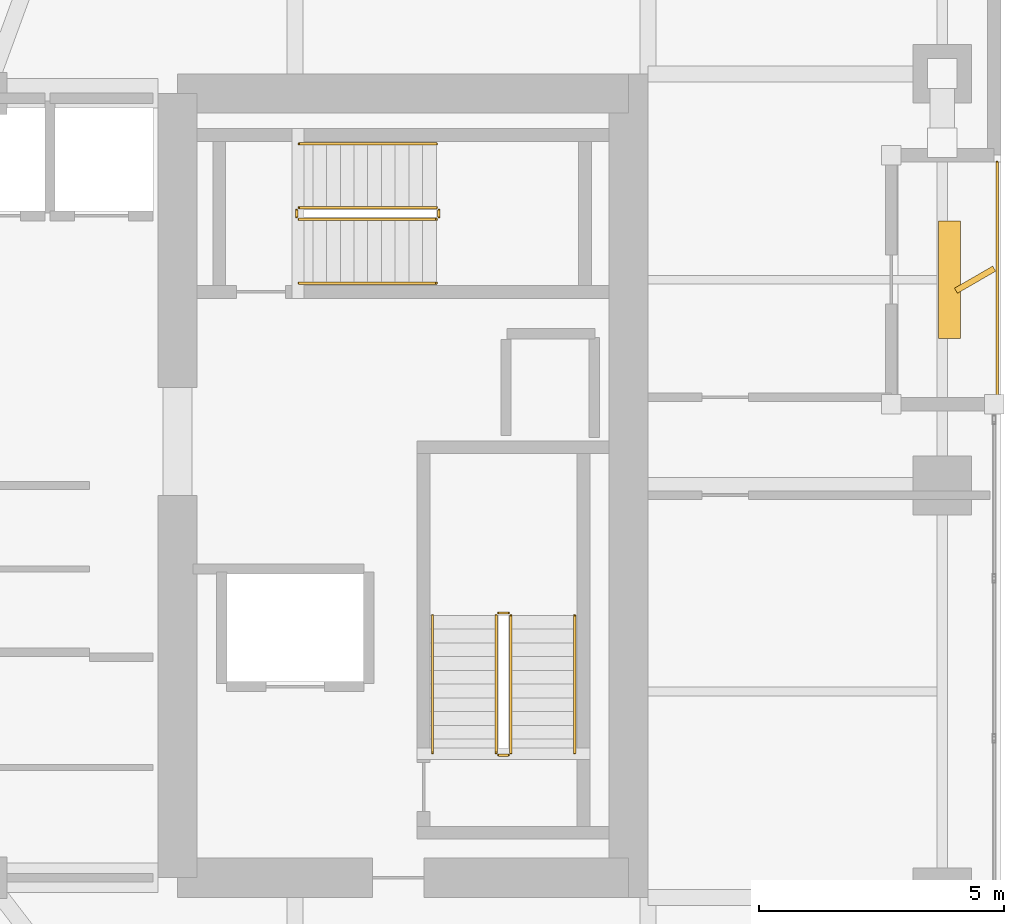
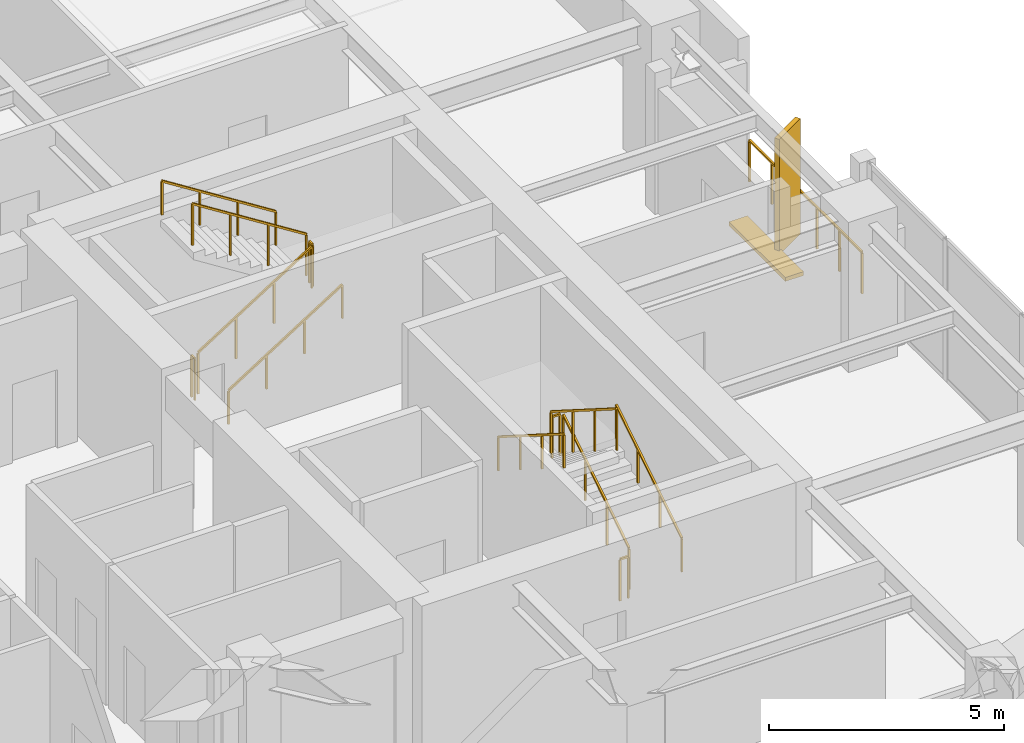
# One storey, part 29 of 30: 13 railings, 2 shading devices.
"""IFC4 building model written with IfcOpenShell, lengths in metres."""

from ifc_helpers import new_model, si_unit, direction, frame, origin, origin_2d, place, context, subcontext, project, spatial, rectangle, extrude, material, type_object, element, save


model = new_model("IFC4")

# Units and contexts
model_context = context("Model", 3, precision=1e-05, world=origin(), true_north=direction((0.0, 1.0)))
body_context = subcontext(model_context, "Body", "Model", "MODEL_VIEW")
ifc_project = project(units=[si_unit("LENGTHUNIT", "METRE"), si_unit("AREAUNIT", "SQUARE_METRE"), si_unit("VOLUMEUNIT", "CUBIC_METRE"), si_unit("PLANEANGLEUNIT", "RADIAN"), si_unit("MASSUNIT", "GRAM", prefix="KILO")], contexts=[model_context])

# Site, building, storey
site_placement = place(None, origin())
site = spatial("IfcSite", under=ifc_project, at=site_placement, CompositionType="ELEMENT")
building_placement = place(site_placement, origin())
building = spatial("IfcBuilding", under=site, at=building_placement, Name="Kiyonajd Concourse Tower", CompositionType="ELEMENT")
storey_placement = place(building_placement, frame((0.0, 0.0, 177.89990234375)))
storey = spatial("IfcBuildingStorey", under=building, at=storey_placement, Name="L45", CompositionType="ELEMENT", Elevation=177.89990234375)

# Railings
ifc_material_1 = material(Name="Thermally Broken Anodised Aluminium", Category="aluminium")
railing_type_1 = type_object("IfcRailingType", Name="RL-GRD-LOG", PredefinedType="GUARDRAIL", material=ifc_material_1)
railing_1_placement = place(storey_placement, frame((70.719970703125, 37.800048828125, 0.0)))
element("IfcRailing", 1, at=railing_1_placement, inside=storey, type_object=railing_type_1, Name="L45 Engawa Loggia Perimeter Guard LOG-E", PredefinedType="GUARDRAIL", context=body_context, shape_type="SweptSolid", body=[
    extrude(rectangle(XDim=0.048095703125, YDim=0.048095703125, at=origin_2d()), frame((0.0, 0.0, 1.076171875), z_axis=(0.0, 1.0, 0.0), x_axis=(-1.0, 0.0, 0.0)), (0.0, 0.0, 1.0), 4.800048828125),
    extrude(rectangle(XDim=0.0419921875, YDim=0.0419921875, at=origin_2d()), origin(), (0.0, 0.0, 1.0), 1.052001953125),
    extrude(rectangle(XDim=0.0419921875, YDim=0.0419921875, at=origin_2d()), frame((0.0, 0.9599609375, 0.0)), (0.0, 0.0, 1.0), 1.052001953125),
    extrude(rectangle(XDim=0.0419921875, YDim=0.0419921875, at=origin_2d()), frame((0.0, 1.919921875, 0.0)), (0.0, 0.0, 1.0), 1.052001953125),
    extrude(rectangle(XDim=0.0419921875, YDim=0.0419921875, at=origin_2d()), frame((0.0, 2.880126953125, 0.0)), (0.0, 0.0, 1.0), 1.052001953125),
    extrude(rectangle(XDim=0.0419921875, YDim=0.0419921875, at=origin_2d()), frame((0.0, 3.840087890625, 0.0)), (0.0, 0.0, 1.0), 1.052001953125),
    extrude(rectangle(XDim=0.0419921875, YDim=0.0419921875, at=origin_2d()), frame((0.0, 4.800048828125, 0.0)), (0.0, 0.0, 1.0), 1.052001953125),
])
ifc_material_2 = material(Name="Steel ASTM A500 Grade C", Category="steel")
railing_type_2 = type_object("IfcRailingType", Name="RL-GRD-STR", PredefinedType="GUARDRAIL", material=ifc_material_2)
railing_2_placement = place(storey_placement, frame((60.800048828125, 30.550048828125, 0.177490234375)))
element("IfcRailing", 2, at=railing_2_placement, inside=storey, type_object=railing_type_2, Name="L45 ST2 stair guard 1", PredefinedType="GUARDRAIL", context=body_context, shape_type="SweptSolid", body=[
    extrude(rectangle(XDim=0.048095703125, YDim=0.048095703125, at=origin_2d()), frame((0.0, 0.0, 1.076171875), z_axis=(0.0, 0.844908973607, 0.534910110503), x_axis=(-1.0, 0.0, 0.0)), (0.0, 0.0, 1.0), 3.31396484375),
    extrude(rectangle(XDim=0.0419921875, YDim=0.0419921875, at=origin_2d()), origin(), (0.0, 0.0, 1.0), 1.052001953125),
    extrude(rectangle(XDim=0.0419921875, YDim=0.0419921875, at=origin_2d()), frame((0.0, 0.933349609375, 0.5908203125)), (0.0, 0.0, 1.0), 1.052001953125),
    extrude(rectangle(XDim=0.0419921875, YDim=0.0419921875, at=origin_2d()), frame((0.0, 1.86669921875, 1.181884765625)), (0.0, 0.0, 1.0), 1.052001953125),
    extrude(rectangle(XDim=0.0419921875, YDim=0.0419921875, at=origin_2d()), frame((0.0, 2.800048828125, 1.772705078125)), (0.0, 0.0, 1.0), 1.052001953125),
])
railing_3_placement = place(storey_placement, frame((60.75, 33.39990234375, 1.9501953125)))
element("IfcRailing", 3, at=railing_3_placement, inside=storey, type_object=railing_type_2, Name="L45 ST2 stair guard 2", PredefinedType="GUARDRAIL", context=body_context, shape_type="SweptSolid", body=[
    extrude(rectangle(XDim=0.048095703125, YDim=0.048095703125, at=origin_2d()), frame((0.0, 0.0, 1.076171875), z_axis=(-1.0, 0.0, 0.0), x_axis=(0.0, -1.0, 0.0)), (0.0, 0.0, 1.0), 0.199951171875),
    extrude(rectangle(XDim=0.0419921875, YDim=0.0419921875, at=origin_2d()), origin(), (0.0, 0.0, 1.0), 1.052001953125),
    extrude(rectangle(XDim=0.0419921875, YDim=0.0419921875, at=origin_2d()), frame((-0.199951171875, 0.0, 0.0)), (0.0, 0.0, 1.0), 1.052001953125),
])
railing_4_placement = place(storey_placement, frame((60.5, 33.35009765625, 2.12744140625)))
element("IfcRailing", 4, at=railing_4_placement, inside=storey, type_object=railing_type_2, Name="L45 ST2 stair guard 3", PredefinedType="GUARDRAIL", context=body_context, shape_type="SweptSolid", body=[
    extrude(rectangle(XDim=0.048095703125, YDim=0.048095703125, at=origin_2d()), frame((0.0, 0.0, 1.076171875), z_axis=(0.0, -0.844908973607, 0.534910110503), x_axis=(1.0, 0.0, 0.0)), (0.0, 0.0, 1.0), 3.31396484375),
    extrude(rectangle(XDim=0.0419921875, YDim=0.0419921875, at=origin_2d()), origin(), (0.0, 0.0, 1.0), 1.052001953125),
    extrude(rectangle(XDim=0.0419921875, YDim=0.0419921875, at=origin_2d()), frame((0.0, -0.933349609375, 0.5908203125)), (0.0, 0.0, 1.0), 1.052001953125),
    extrude(rectangle(XDim=0.0419921875, YDim=0.0419921875, at=origin_2d()), frame((0.0, -1.86669921875, 1.181884765625)), (0.0, 0.0, 1.0), 1.052001953125),
    extrude(rectangle(XDim=0.0419921875, YDim=0.0419921875, at=origin_2d()), frame((0.0, -2.800048828125, 1.772705078125)), (0.0, 0.0, 1.0), 1.052001953125),
])
railing_5_placement = place(storey_placement, frame((60.75, 30.5, 0.0)))
element("IfcRailing", 5, at=railing_5_placement, inside=storey, type_object=railing_type_2, Name="L45 ST2 stair guard 4", PredefinedType="GUARDRAIL", context=body_context, shape_type="SweptSolid", body=[
    extrude(rectangle(XDim=0.048095703125, YDim=0.048095703125, at=origin_2d()), frame((0.0, 0.0, 1.076171875), z_axis=(-1.0, 0.0, 0.0), x_axis=(0.0, -1.0, 0.0)), (0.0, 0.0, 1.0), 0.199951171875),
    extrude(rectangle(XDim=0.0419921875, YDim=0.0419921875, at=origin_2d()), origin(), (0.0, 0.0, 1.0), 1.052001953125),
    extrude(rectangle(XDim=0.0419921875, YDim=0.0419921875, at=origin_2d()), frame((-0.199951171875, 0.0, 0.0)), (0.0, 0.0, 1.0), 1.052001953125),
])
railing_6_placement = place(storey_placement, frame((56.47998046875, 41.429931640625, 0.177490234375)))
element("IfcRailing", 6, at=railing_6_placement, inside=storey, type_object=railing_type_2, Name="L45 ST3 stair guard 1", PredefinedType="GUARDRAIL", context=body_context, shape_type="SweptSolid", body=[
    extrude(rectangle(XDim=0.048095703125, YDim=0.048095703125, at=origin_2d()), frame((0.0, 0.0, 1.076171875), z_axis=(0.844908973607, 0.0, 0.534910110503), x_axis=(0.0, 1.0, 0.0)), (0.0, 0.0, 1.0), 3.31396484375),
    extrude(rectangle(XDim=0.0419921875, YDim=0.0419921875, at=origin_2d()), origin(), (0.0, 0.0, 1.0), 1.052001953125),
    extrude(rectangle(XDim=0.0419921875, YDim=0.0419921875, at=origin_2d()), frame((0.933349609375, 0.0, 0.5908203125)), (0.0, 0.0, 1.0), 1.052001953125),
    extrude(rectangle(XDim=0.0419921875, YDim=0.0419921875, at=origin_2d()), frame((1.86669921875, 0.0, 1.181884765625)), (0.0, 0.0, 1.0), 1.052001953125),
    extrude(rectangle(XDim=0.0419921875, YDim=0.0419921875, at=origin_2d()), frame((2.800048828125, 0.0, 1.772705078125)), (0.0, 0.0, 1.0), 1.052001953125),
])
railing_7_placement = place(storey_placement, frame((59.330078125, 41.47998046875, 1.9501953125)))
element("IfcRailing", 7, at=railing_7_placement, inside=storey, type_object=railing_type_2, Name="L45 ST3 stair guard 2", PredefinedType="GUARDRAIL", context=body_context, shape_type="SweptSolid", body=[
    extrude(rectangle(XDim=0.048095703125, YDim=0.048095703125, at=origin_2d()), frame((0.0, 0.0, 1.076171875), z_axis=(0.0, 1.0, 0.0), x_axis=(-1.0, 0.0, 0.0)), (0.0, 0.0, 1.0), 0.14013671875),
    extrude(rectangle(XDim=0.0419921875, YDim=0.0419921875, at=origin_2d()), origin(), (0.0, 0.0, 1.0), 1.052001953125),
    extrude(rectangle(XDim=0.0419921875, YDim=0.0419921875, at=origin_2d()), frame((0.0, 0.14013671875, 0.0)), (0.0, 0.0, 1.0), 1.052001953125),
])
railing_8_placement = place(storey_placement, frame((59.280029296875, 41.669921875, 2.12744140625)))
element("IfcRailing", 8, at=railing_8_placement, inside=storey, type_object=railing_type_2, Name="L45 ST3 stair guard 3", PredefinedType="GUARDRAIL", context=body_context, shape_type="SweptSolid", body=[
    extrude(rectangle(XDim=0.048095703125, YDim=0.048095703125, at=origin_2d()), frame((0.0, 0.0, 1.076171875), z_axis=(-0.844908973607, 0.0, 0.534910110503), x_axis=(0.0, -1.0, 0.0)), (0.0, 0.0, 1.0), 3.31396484375),
    extrude(rectangle(XDim=0.0419921875, YDim=0.0419921875, at=origin_2d()), origin(), (0.0, 0.0, 1.0), 1.052001953125),
    extrude(rectangle(XDim=0.0419921875, YDim=0.0419921875, at=origin_2d()), frame((-0.933349609375, 0.0, 0.5908203125)), (0.0, 0.0, 1.0), 1.052001953125),
    extrude(rectangle(XDim=0.0419921875, YDim=0.0419921875, at=origin_2d()), frame((-1.86669921875, 0.0, 1.181884765625)), (0.0, 0.0, 1.0), 1.052001953125),
    extrude(rectangle(XDim=0.0419921875, YDim=0.0419921875, at=origin_2d()), frame((-2.800048828125, 0.0, 1.772705078125)), (0.0, 0.0, 1.0), 1.052001953125),
])
railing_9_placement = place(storey_placement, frame((56.429931640625, 41.47998046875, 0.0)))
element("IfcRailing", 9, at=railing_9_placement, inside=storey, type_object=railing_type_2, Name="L45 ST3 stair guard 4", PredefinedType="GUARDRAIL", context=body_context, shape_type="SweptSolid", body=[
    extrude(rectangle(XDim=0.048095703125, YDim=0.048095703125, at=origin_2d()), frame((0.0, 0.0, 1.076171875), z_axis=(0.0, 1.0, 0.0), x_axis=(-1.0, 0.0, 0.0)), (0.0, 0.0, 1.0), 0.14013671875),
    extrude(rectangle(XDim=0.0419921875, YDim=0.0419921875, at=origin_2d()), origin(), (0.0, 0.0, 1.0), 1.052001953125),
    extrude(rectangle(XDim=0.0419921875, YDim=0.0419921875, at=origin_2d()), frame((0.0, 0.14013671875, 0.0)), (0.0, 0.0, 1.0), 1.052001953125),
])
ifc_material_3 = material(Name="Brushed Stainless Steel Cab Assembly", Category="steel")
railing_type_3 = type_object("IfcRailingType", Name="RL-HND-900", PredefinedType="HANDRAIL", material=ifc_material_3)
railing_10_placement = place(storey_placement, frame((62.10009765625, 30.550048828125, 0.177490234375)))
element("IfcRailing", 10, at=railing_10_placement, inside=storey, type_object=railing_type_3, Name="L45 ST2 stair handrail 1", PredefinedType="HANDRAIL", context=body_context, shape_type="SweptSolid", body=[
    extrude(rectangle(XDim=0.048095703125, YDim=0.048095703125, at=origin_2d()), frame((0.0, 0.0, 0.8759765625), z_axis=(0.0, 0.844908973607, 0.534910110503), x_axis=(-1.0, 0.0, 0.0)), (0.0, 0.0, 1.0), 3.31396484375),
    extrude(rectangle(XDim=0.0419921875, YDim=0.0419921875, at=origin_2d()), origin(), (0.0, 0.0, 1.0), 0.851806640625),
    extrude(rectangle(XDim=0.0419921875, YDim=0.0419921875, at=origin_2d()), frame((0.0, 0.933349609375, 0.5908203125)), (0.0, 0.0, 1.0), 0.851806640625),
    extrude(rectangle(XDim=0.0419921875, YDim=0.0419921875, at=origin_2d()), frame((0.0, 1.86669921875, 1.181884765625)), (0.0, 0.0, 1.0), 0.851806640625),
    extrude(rectangle(XDim=0.0419921875, YDim=0.0419921875, at=origin_2d()), frame((0.0, 2.800048828125, 1.772705078125)), (0.0, 0.0, 1.0), 0.851806640625),
])
railing_11_placement = place(storey_placement, frame((59.199951171875, 33.35009765625, 2.12744140625)))
element("IfcRailing", 11, at=railing_11_placement, inside=storey, type_object=railing_type_3, Name="L45 ST2 stair handrail 2", PredefinedType="HANDRAIL", context=body_context, shape_type="SweptSolid", body=[
    extrude(rectangle(XDim=0.048095703125, YDim=0.048095703125, at=origin_2d()), frame((0.0, 0.0, 0.8759765625), z_axis=(0.0, -0.844908973607, 0.534910110503), x_axis=(1.0, 0.0, 0.0)), (0.0, 0.0, 1.0), 3.31396484375),
    extrude(rectangle(XDim=0.0419921875, YDim=0.0419921875, at=origin_2d()), origin(), (0.0, 0.0, 1.0), 0.851806640625),
    extrude(rectangle(XDim=0.0419921875, YDim=0.0419921875, at=origin_2d()), frame((0.0, -0.933349609375, 0.5908203125)), (0.0, 0.0, 1.0), 0.851806640625),
    extrude(rectangle(XDim=0.0419921875, YDim=0.0419921875, at=origin_2d()), frame((0.0, -1.86669921875, 1.181884765625)), (0.0, 0.0, 1.0), 0.851806640625),
    extrude(rectangle(XDim=0.0419921875, YDim=0.0419921875, at=origin_2d()), frame((0.0, -2.800048828125, 1.772705078125)), (0.0, 0.0, 1.0), 0.851806640625),
])
railing_12_placement = place(storey_placement, frame((56.47998046875, 40.1298828125, 0.177490234375)))
element("IfcRailing", 12, at=railing_12_placement, inside=storey, type_object=railing_type_3, Name="L45 ST3 stair handrail 1", PredefinedType="HANDRAIL", context=body_context, shape_type="SweptSolid", body=[
    extrude(rectangle(XDim=0.048095703125, YDim=0.048095703125, at=origin_2d()), frame((0.0, 0.0, 0.8759765625), z_axis=(0.844908973607, 0.0, 0.534910110503), x_axis=(0.0, 1.0, 0.0)), (0.0, 0.0, 1.0), 3.31396484375),
    extrude(rectangle(XDim=0.0419921875, YDim=0.0419921875, at=origin_2d()), origin(), (0.0, 0.0, 1.0), 0.851806640625),
    extrude(rectangle(XDim=0.0419921875, YDim=0.0419921875, at=origin_2d()), frame((0.933349609375, 0.0, 0.5908203125)), (0.0, 0.0, 1.0), 0.851806640625),
    extrude(rectangle(XDim=0.0419921875, YDim=0.0419921875, at=origin_2d()), frame((1.86669921875, 0.0, 1.181884765625)), (0.0, 0.0, 1.0), 0.851806640625),
    extrude(rectangle(XDim=0.0419921875, YDim=0.0419921875, at=origin_2d()), frame((2.800048828125, 0.0, 1.772705078125)), (0.0, 0.0, 1.0), 0.851806640625),
])
railing_13_placement = place(storey_placement, frame((59.280029296875, 42.969970703125, 2.12744140625)))
element("IfcRailing", 13, at=railing_13_placement, inside=storey, type_object=railing_type_3, Name="L45 ST3 stair handrail 2", PredefinedType="HANDRAIL", context=body_context, shape_type="SweptSolid", body=[
    extrude(rectangle(XDim=0.048095703125, YDim=0.048095703125, at=origin_2d()), frame((0.0, 0.0, 0.8759765625), z_axis=(-0.844908973607, 0.0, 0.534910110503), x_axis=(0.0, -1.0, 0.0)), (0.0, 0.0, 1.0), 3.31396484375),
    extrude(rectangle(XDim=0.0419921875, YDim=0.0419921875, at=origin_2d()), origin(), (0.0, 0.0, 1.0), 0.851806640625),
    extrude(rectangle(XDim=0.0419921875, YDim=0.0419921875, at=origin_2d()), frame((-0.933349609375, 0.0, 0.5908203125)), (0.0, 0.0, 1.0), 0.851806640625),
    extrude(rectangle(XDim=0.0419921875, YDim=0.0419921875, at=origin_2d()), frame((-1.86669921875, 0.0, 1.181884765625)), (0.0, 0.0, 1.0), 0.851806640625),
    extrude(rectangle(XDim=0.0419921875, YDim=0.0419921875, at=origin_2d()), frame((-2.800048828125, 0.0, 1.772705078125)), (0.0, 0.0, 1.0), 0.851806640625),
])

# Shading devices
ifc_material_4 = material(Name="Precast concrete C50/60", Category="concrete")
shading_device_type_1 = type_object("IfcShadingDeviceType", Name="SH-FIN-900", PredefinedType="USERDEFINED", material=ifc_material_4)
shading_device_1_placement = place(storey_placement, frame((70.27001953125, 40.199951171875, 0.0), z_axis=(0.0, 0.0, 1.0), x_axis=(0.866025403784, 0.5, 0.0)))
element("IfcShadingDevice", 14, at=shading_device_1_placement, inside=storey, type_object=shading_device_type_1, Name="L45 Angled Koshi Solar Fin LOG-E", ObjectType="FIN", PredefinedType="USERDEFINED", context=body_context, shape_type="SweptSolid", body=[
    extrude(rectangle(XDim=0.89990234375, YDim=0.1201171875, at=origin_2d()), origin(), (0.0, 0.0, 1.0), 3.0),
])
shading_device_type_2 = type_object("IfcShadingDeviceType", Name="SH-LVR-600", PredefinedType="JALOUSIE", material=ifc_material_1)
shading_device_2_placement = place(storey_placement, frame((69.75, 40.199951171875, 0.0), z_axis=(0.0, 0.0, 1.0), x_axis=(0.0, 1.0, 0.0)))
element("IfcShadingDevice", 15, at=shading_device_2_placement, inside=storey, type_object=shading_device_type_2, Name="L45 Loggia Threshold Louver LOG-E", PredefinedType="JALOUSIE", context=body_context, shape_type="SweptSolid", body=[
    extrude(rectangle(XDim=2.39990234375, YDim=0.449951171875, at=origin_2d()), origin(), (0.0, 0.0, 1.0), 0.10009765625),
])

save(model, "model.ifc")
